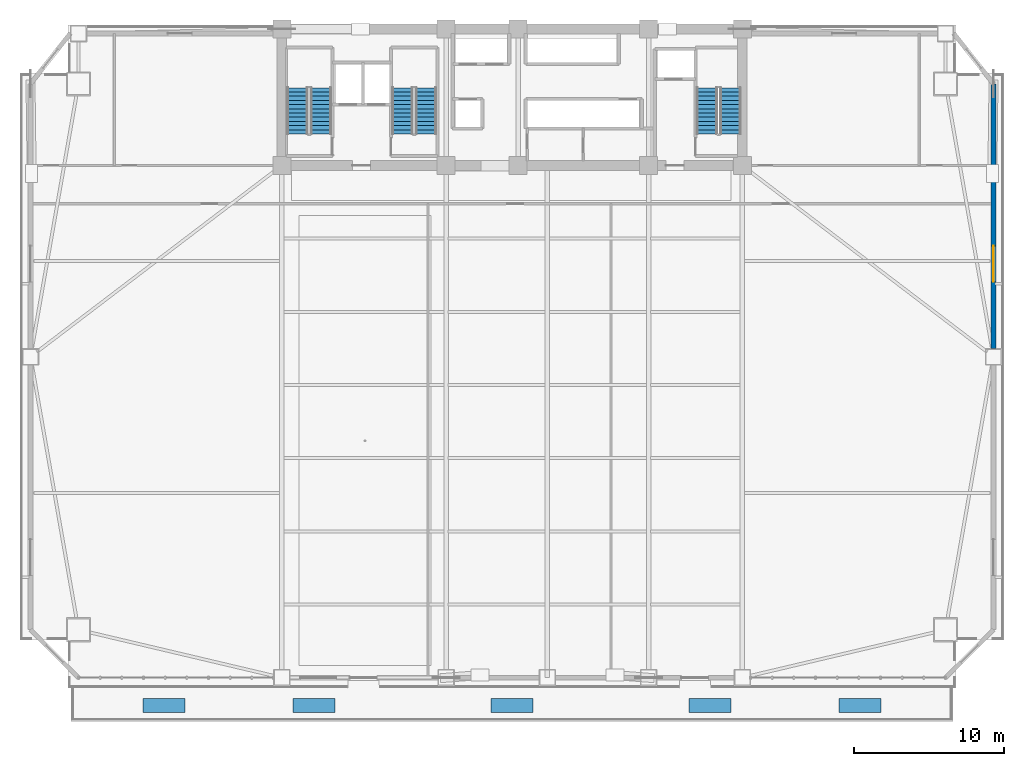
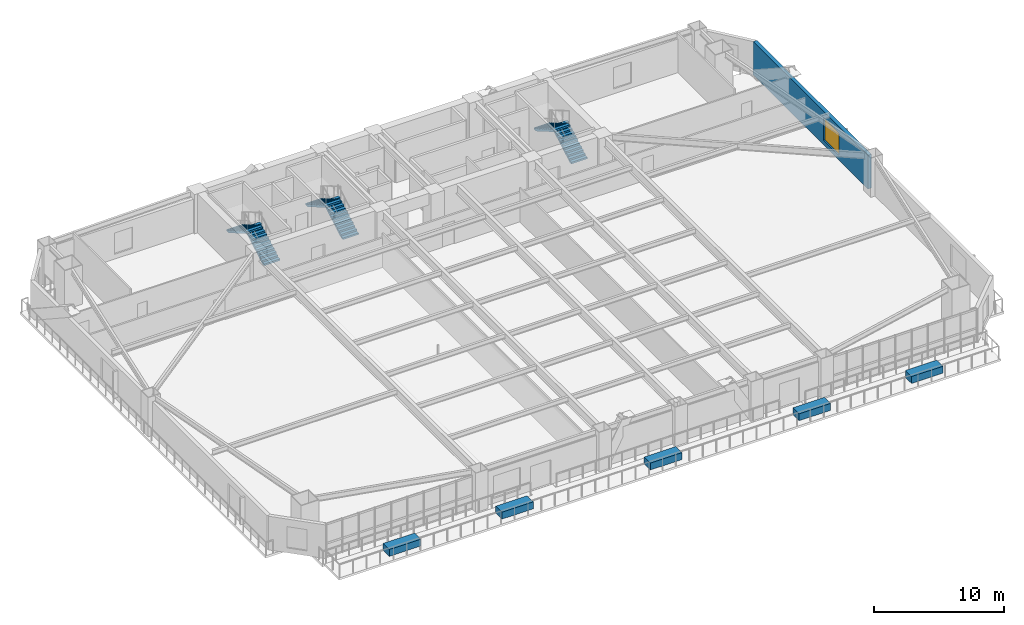
# One storey, part 11 of 17: 6 stair flights, 5 discrete accessories, 1 wall, 1 window, 1 opening, 3 elements without a shape of their own.
"""IFC4 building model written with IfcOpenShell, lengths in metres."""

from ifc_helpers import new_model, si_unit, direction, frame, frame_2d, origin, origin_2d, place, context, subcontext, project, spatial, polyline, rectangle, outline, extrude, source, transform, mapped, material, layer, layer_set, type_object, element, fill, aggregate, save


model = new_model("IFC4")

# Units and contexts
model_context = context("Model", 3, precision=1e-05, world=origin(), true_north=direction((0.0, 1.0)))
body_context = subcontext(model_context, "Body", "Model", "MODEL_VIEW")
ifc_project = project(units=[si_unit("LENGTHUNIT", "METRE"), si_unit("AREAUNIT", "SQUARE_METRE"), si_unit("VOLUMEUNIT", "CUBIC_METRE"), si_unit("PLANEANGLEUNIT", "RADIAN"), si_unit("MASSUNIT", "GRAM", prefix="KILO")], contexts=[model_context])

# Site, building, storey
site_placement = place(None, origin())
site = spatial("IfcSite", under=ifc_project, at=site_placement, CompositionType="ELEMENT")
building_placement = place(site_placement, origin())
building = spatial("IfcBuilding", under=site, at=building_placement, Name="Giltprow Tower", CompositionType="ELEMENT")
storey_placement = place(building_placement, frame((0.0, 0.0, 25.39990234375)))
storey = spatial("IfcBuildingStorey", under=building, at=storey_placement, Name="L06", CompositionType="ELEMENT", Elevation=25.39990234375)

# Wall, opening, window
ifc_material_1 = material(Name="Precast concrete C40", Category="concrete")
ifc_layer = layer(ifc_material_1, 0.320068359375, Name="Precast concrete C40")
ifc_layer_set = layer_set([ifc_layer], Name="Precast concrete C40")
wall_type = type_object("IfcWallType", Name="EW-TOW-STONE-320", PredefinedType="SOLIDWALL", material=ifc_layer_set)
wall_placement = place(storey_placement, frame((67.300048828125, 25.25, 0.0), z_axis=(0.0, 0.0, 1.0), x_axis=(0.0, 1.0, 0.0)))
wall = element("IfcWall", 1, at=wall_placement, inside=storey, type_object=wall_type, Name="L06 E Wing Masonry Wall 2", PredefinedType="SOLIDWALL", context=body_context, shape_type="SweptSolid", body=[
    extrude(rectangle(XDim=17.64990234375, YDim=0.320068359375, at=frame_2d((8.824951171875, 0.0))), origin(), (0.0, 0.0, 1.0), 3.16015625),
])
opening_placement = place(wall_placement, frame((4.43603515625, 0.0, 0.449951171875)))
opening = element("IfcOpeningElement", 2, at=opening_placement, cuts=wall, Name="Opening WN29", PredefinedType="OPENING", context=body_context, shape_type="SweptSolid", body=[
    extrude(rectangle(XDim=2.39990234375, YDim=2.10009765625, at=frame_2d((1.199951171875, 1.050048828125))), frame((0.0, 0.169921875, 0.0), z_axis=(0.0, -1.0, 0.0), x_axis=(1.0, 0.0, 0.0)), (0.0, 0.0, 1.0), 0.340087890625),
])
ifc_material_2 = material(Name="Insulated glass", Category="glass")
window_type = type_object("IfcWindowType", Name="WN-OFF-2400x2100", PartitioningType="DOUBLE_PANEL_VERTICAL", PredefinedType="WINDOW", material=ifc_material_2)
shared_shape_1 = source(origin(), body_context, "Body", "SweptSolid", [
    extrude(rectangle(XDim=2.39990234375, YDim=2.10009765625, at=frame_2d((1.199951171875, 1.050048828125))), frame((0.0, 0.030029296875, 0.0), z_axis=(0.0, -1.0, 0.0), x_axis=(1.0, 0.0, 0.0)), (0.0, 0.0, 1.0), 0.06005859375),
])
window_placement = place(opening_placement, origin())
window = element("IfcWindow", 3, at=window_placement, inside=storey, type_object=window_type, Name="L06 E Wing Window 2-1", OverallHeight=2.10009765625, OverallWidth=2.39990234375, PartitioningType="SINGLE_PANEL", PredefinedType="WINDOW", context=body_context, shape_type="MappedRepresentation", body=[
    mapped(shared_shape_1, transform((0.0, 0.0, 0.0), x_axis=(1.0, 0.0, 0.0), y_axis=(0.0, 1.0, 0.0), z_axis=(0.0, 0.0, 1.0), scale=1.0)),
])
fill(opening, window)

# Stair, stair flights
ifc_material_3 = material(Name="Concrete C40", Category="concrete")
stair_type_1 = type_object("IfcStairType", Name="STR-ST-1", PredefinedType="HALF_TURN_STAIR", material=ifc_material_3)
stair_1_placement = place(storey_placement, origin())
stair_1 = element("IfcStair", 4, at=stair_1_placement, inside=storey, type_object=stair_type_1, Name="L06 Core Exit Stair ST-1", PredefinedType="HALF_TURN_STAIR")
stair_flight_type_1 = type_object("IfcStairFlightType", Name="SFL-ST-1", PredefinedType="STRAIGHT", material=ifc_material_3)
stair_flight_1_placement = place(storey_placement, frame((22.4599609375, 39.550048828125, 0.0), z_axis=(0.0, 0.0, 1.0), x_axis=(0.0, 1.0, 0.0)))
stair_flight_1 = element("IfcStairFlight", 5, at=stair_flight_1_placement, type_object=stair_flight_type_1, Name="ST-1 flight 1", NumberOfRisers=12, NumberOfTreads=11, PredefinedType="STRAIGHT", RiserHeight=0.1625, TreadLength=0.28, context=body_context, shape_type="SweptSolid", body=[
    extrude(outline(polyline([(0.0, 0.0), (0.0, 0.16259765625), (0.280029296875, 0.16259765625), (0.280029296875, 0.324951171875), (0.56005859375, 0.324951171875), (0.56005859375, 0.487548828125), (0.840087890625, 0.487548828125), (0.840087890625, 0.64990234375), (1.1201171875, 0.64990234375), (1.1201171875, 0.8125), (1.39990234375, 0.8125), (1.39990234375, 0.97509765625), (1.679931640625, 0.97509765625), (1.679931640625, 1.137451171875), (1.9599609375, 1.137451171875), (1.9599609375, 1.300048828125), (2.239990234375, 1.300048828125), (2.239990234375, 1.46240234375), (2.52001953125, 1.46240234375), (2.52001953125, 1.625), (2.800048828125, 1.625), (2.800048828125, 1.78759765625), (3.080078125, 1.78759765625), (3.080078125, 1.949951171875), (3.080078125, 1.6142578125), (0.298583984375, 0.0), (0.0, 0.0)])), frame((0.0, 0.699951171875, 0.0), z_axis=(0.0, -1.0, 0.0), x_axis=(1.0, 0.0, 0.0)), (0.0, 0.0, 1.0), 1.39990234375),
])
stair_flight_2_placement = place(storey_placement, frame((20.89990234375, 42.6298828125, 1.9501953125), z_axis=(0.0, 0.0, 1.0), x_axis=(0.0, -1.0, 0.0)))
stair_flight_2 = element("IfcStairFlight", 6, at=stair_flight_2_placement, type_object=stair_flight_type_1, Name="ST-1 flight 2", NumberOfRisers=12, NumberOfTreads=11, PredefinedType="STRAIGHT", RiserHeight=0.1625, TreadLength=0.28, context=body_context, shape_type="SweptSolid", body=[
    extrude(outline(polyline([(0.0, 0.0), (0.0, 0.16259765625), (0.280029296875, 0.16259765625), (0.280029296875, 0.324951171875), (0.56005859375, 0.324951171875), (0.56005859375, 0.487548828125), (0.840087890625, 0.487548828125), (0.840087890625, 0.64990234375), (1.1201171875, 0.64990234375), (1.1201171875, 0.8125), (1.39990234375, 0.8125), (1.39990234375, 0.97509765625), (1.679931640625, 0.97509765625), (1.679931640625, 1.137451171875), (1.9599609375, 1.137451171875), (1.9599609375, 1.300048828125), (2.239990234375, 1.300048828125), (2.239990234375, 1.46240234375), (2.52001953125, 1.46240234375), (2.52001953125, 1.625), (2.800048828125, 1.625), (2.800048828125, 1.78759765625), (3.080078125, 1.78759765625), (3.080078125, 1.949951171875), (3.080078125, 1.6142578125), (0.298583984375, 0.0), (0.0, 0.0)])), frame((0.0, 0.699951171875, 0.0), z_axis=(0.0, -1.0, 0.0), x_axis=(1.0, 0.0, 0.0)), (0.0, 0.0, 1.0), 1.39990234375),
])
aggregate(stair_1, [stair_flight_1, stair_flight_2])

stair_type_2 = type_object("IfcStairType", Name="STR-ST-2", PredefinedType="HALF_TURN_STAIR", material=ifc_material_3)
stair_2_placement = place(storey_placement, origin())
stair_2 = element("IfcStair", 7, at=stair_2_placement, inside=storey, type_object=stair_type_2, Name="L06 Core Exit Stair ST-2", PredefinedType="HALF_TURN_STAIR")
stair_flight_type_2 = type_object("IfcStairFlightType", Name="SFL-ST-2", PredefinedType="STRAIGHT", material=ifc_material_3)
stair_flight_3_placement = place(storey_placement, frame((29.4599609375, 39.550048828125, 0.0), z_axis=(0.0, 0.0, 1.0), x_axis=(0.0, 1.0, 0.0)))
stair_flight_3 = element("IfcStairFlight", 8, at=stair_flight_3_placement, type_object=stair_flight_type_2, Name="ST-2 flight 1", NumberOfRisers=12, NumberOfTreads=11, PredefinedType="STRAIGHT", RiserHeight=0.1625, TreadLength=0.28, context=body_context, shape_type="SweptSolid", body=[
    extrude(outline(polyline([(0.0, 0.0), (0.0, 0.16259765625), (0.280029296875, 0.16259765625), (0.280029296875, 0.324951171875), (0.56005859375, 0.324951171875), (0.56005859375, 0.487548828125), (0.840087890625, 0.487548828125), (0.840087890625, 0.64990234375), (1.1201171875, 0.64990234375), (1.1201171875, 0.8125), (1.39990234375, 0.8125), (1.39990234375, 0.97509765625), (1.679931640625, 0.97509765625), (1.679931640625, 1.137451171875), (1.9599609375, 1.137451171875), (1.9599609375, 1.300048828125), (2.239990234375, 1.300048828125), (2.239990234375, 1.46240234375), (2.52001953125, 1.46240234375), (2.52001953125, 1.625), (2.800048828125, 1.625), (2.800048828125, 1.78759765625), (3.080078125, 1.78759765625), (3.080078125, 1.949951171875), (3.080078125, 1.6142578125), (0.298583984375, 0.0), (0.0, 0.0)])), frame((0.0, 0.699951171875, 0.0), z_axis=(0.0, -1.0, 0.0), x_axis=(1.0, 0.0, 0.0)), (0.0, 0.0, 1.0), 1.39990234375),
])
stair_flight_4_placement = place(storey_placement, frame((27.89990234375, 42.6298828125, 1.9501953125), z_axis=(0.0, 0.0, 1.0), x_axis=(0.0, -1.0, 0.0)))
stair_flight_4 = element("IfcStairFlight", 9, at=stair_flight_4_placement, type_object=stair_flight_type_2, Name="ST-2 flight 2", NumberOfRisers=12, NumberOfTreads=11, PredefinedType="STRAIGHT", RiserHeight=0.1625, TreadLength=0.28, context=body_context, shape_type="SweptSolid", body=[
    extrude(outline(polyline([(0.0, 0.0), (0.0, 0.16259765625), (0.280029296875, 0.16259765625), (0.280029296875, 0.324951171875), (0.56005859375, 0.324951171875), (0.56005859375, 0.487548828125), (0.840087890625, 0.487548828125), (0.840087890625, 0.64990234375), (1.1201171875, 0.64990234375), (1.1201171875, 0.8125), (1.39990234375, 0.8125), (1.39990234375, 0.97509765625), (1.679931640625, 0.97509765625), (1.679931640625, 1.137451171875), (1.9599609375, 1.137451171875), (1.9599609375, 1.300048828125), (2.239990234375, 1.300048828125), (2.239990234375, 1.46240234375), (2.52001953125, 1.46240234375), (2.52001953125, 1.625), (2.800048828125, 1.625), (2.800048828125, 1.78759765625), (3.080078125, 1.78759765625), (3.080078125, 1.949951171875), (3.080078125, 1.6142578125), (0.298583984375, 0.0), (0.0, 0.0)])), frame((0.0, 0.699951171875, 0.0), z_axis=(0.0, -1.0, 0.0), x_axis=(1.0, 0.0, 0.0)), (0.0, 0.0, 1.0), 1.39990234375),
])
aggregate(stair_2, [stair_flight_3, stair_flight_4])

stair_type_3 = type_object("IfcStairType", Name="STR-ST-3", PredefinedType="HALF_TURN_STAIR", material=ifc_material_3)
stair_3_placement = place(storey_placement, origin())
stair_3 = element("IfcStair", 10, at=stair_3_placement, inside=storey, type_object=stair_type_3, Name="L06 Core Exit Stair ST-3", PredefinedType="HALF_TURN_STAIR")
stair_flight_type_3 = type_object("IfcStairFlightType", Name="SFL-ST-3", PredefinedType="STRAIGHT", material=ifc_material_3)
stair_flight_5_placement = place(storey_placement, frame((49.760009765625, 39.550048828125, 0.0), z_axis=(0.0, 0.0, 1.0), x_axis=(0.0, 1.0, 0.0)))
stair_flight_5 = element("IfcStairFlight", 11, at=stair_flight_5_placement, type_object=stair_flight_type_3, Name="ST-3 flight 1", NumberOfRisers=12, NumberOfTreads=11, PredefinedType="STRAIGHT", RiserHeight=0.1625, TreadLength=0.28, context=body_context, shape_type="SweptSolid", body=[
    extrude(outline(polyline([(0.0, 0.0), (0.0, 0.16259765625), (0.280029296875, 0.16259765625), (0.280029296875, 0.324951171875), (0.56005859375, 0.324951171875), (0.56005859375, 0.487548828125), (0.840087890625, 0.487548828125), (0.840087890625, 0.64990234375), (1.1201171875, 0.64990234375), (1.1201171875, 0.8125), (1.39990234375, 0.8125), (1.39990234375, 0.97509765625), (1.679931640625, 0.97509765625), (1.679931640625, 1.137451171875), (1.9599609375, 1.137451171875), (1.9599609375, 1.300048828125), (2.239990234375, 1.300048828125), (2.239990234375, 1.46240234375), (2.52001953125, 1.46240234375), (2.52001953125, 1.625), (2.800048828125, 1.625), (2.800048828125, 1.78759765625), (3.080078125, 1.78759765625), (3.080078125, 1.949951171875), (3.080078125, 1.6142578125), (0.298583984375, 0.0), (0.0, 0.0)])), frame((0.0, 0.699951171875, 0.0), z_axis=(0.0, -1.0, 0.0), x_axis=(1.0, 0.0, 0.0)), (0.0, 0.0, 1.0), 1.39990234375),
])
stair_flight_6_placement = place(storey_placement, frame((48.199951171875, 42.6298828125, 1.9501953125), z_axis=(0.0, 0.0, 1.0), x_axis=(0.0, -1.0, 0.0)))
stair_flight_6 = element("IfcStairFlight", 12, at=stair_flight_6_placement, type_object=stair_flight_type_3, Name="ST-3 flight 2", NumberOfRisers=12, NumberOfTreads=11, PredefinedType="STRAIGHT", RiserHeight=0.1625, TreadLength=0.28, context=body_context, shape_type="SweptSolid", body=[
    extrude(outline(polyline([(0.0, 0.0), (0.0, 0.16259765625), (0.280029296875, 0.16259765625), (0.280029296875, 0.324951171875), (0.56005859375, 0.324951171875), (0.56005859375, 0.487548828125), (0.840087890625, 0.487548828125), (0.840087890625, 0.64990234375), (1.1201171875, 0.64990234375), (1.1201171875, 0.8125), (1.39990234375, 0.8125), (1.39990234375, 0.97509765625), (1.679931640625, 0.97509765625), (1.679931640625, 1.137451171875), (1.9599609375, 1.137451171875), (1.9599609375, 1.300048828125), (2.239990234375, 1.300048828125), (2.239990234375, 1.46240234375), (2.52001953125, 1.46240234375), (2.52001953125, 1.625), (2.800048828125, 1.625), (2.800048828125, 1.78759765625), (3.080078125, 1.78759765625), (3.080078125, 1.949951171875), (3.080078125, 1.6142578125), (0.298583984375, 0.0), (0.0, 0.0)])), frame((0.0, 0.699951171875, 0.0), z_axis=(0.0, -1.0, 0.0), x_axis=(1.0, 0.0, 0.0)), (0.0, 0.0, 1.0), 1.39990234375),
])
aggregate(stair_3, [stair_flight_5, stair_flight_6])

# Discrete accessories
discrete_accessory_type = type_object("IfcDiscreteAccessoryType", Name="ACC-PLANTER-BOX", PredefinedType="USERDEFINED", material=ifc_material_1)
shared_shape_2 = source(origin(), body_context, "Body", "SweptSolid", [
    extrude(rectangle(XDim=2.800048828125, YDim=0.949951171875, at=origin_2d()), origin(), (0.0, 0.0, 1.0), 0.64990234375),
])
for number, where, z_axis, x_axis, name in (
    (13, (12.0, 1.449951171875, 0.000244140625), (0.0, 0.0, 1.0), (1.0, 0.0, 0.0), "L06 Waterfront Terrace Planter PLN-1"),
    (14, (22.0, 1.449951171875, 0.000244140625), (0.0, 0.0, 1.0), (1.0, 0.0, 0.0), "L06 Waterfront Terrace Planter PLN-2"),
    (15, (35.199951171875, 1.449951171875, 0.000244140625), (0.0, 0.0, 1.0), (1.0, 0.0, 0.0), "L06 Waterfront Terrace Planter PLN-3"),
    (16, (48.39990234375, 1.449951171875, 0.000244140625), (0.0, 0.0, 1.0), (1.0, 0.0, 0.0), "L06 Waterfront Terrace Planter PLN-4"),
    (17, (58.39990234375, 1.449951171875, 0.000244140625), (0.0, 0.0, 1.0), (1.0, 0.0, 0.0), "L06 Waterfront Terrace Planter PLN-5"),
):
    element("IfcDiscreteAccessory", number, at=place(storey_placement, frame(where, z_axis=z_axis, x_axis=x_axis)), inside=storey, type_object=discrete_accessory_type, Name=name, ObjectType="PLANTER", PredefinedType="USERDEFINED", context=body_context, shape_type="MappedRepresentation", body=[
        mapped(shared_shape_2, transform((0.0, 0.0, 0.0), x_axis=(1.0, 0.0, 0.0), y_axis=(0.0, 1.0, 0.0), z_axis=(0.0, 0.0, 1.0), scale=1.0)),
    ])

save(model, "model.ifc")
